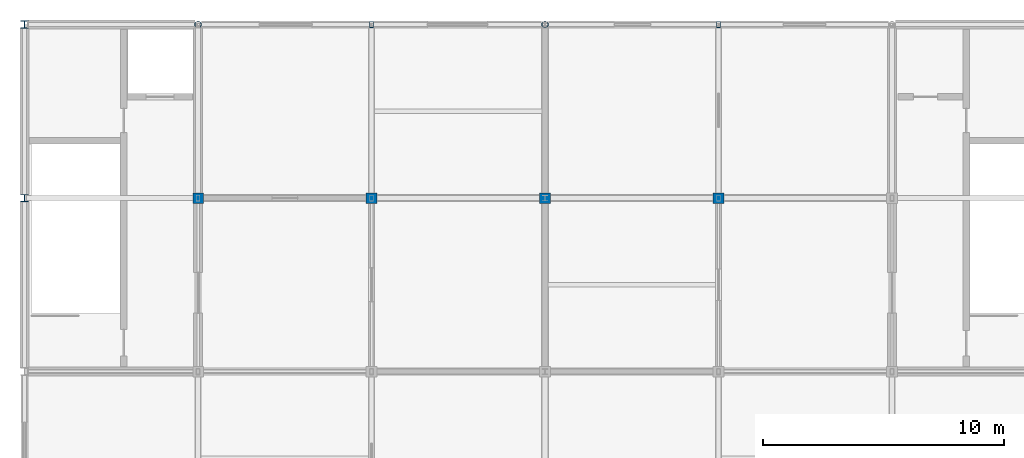
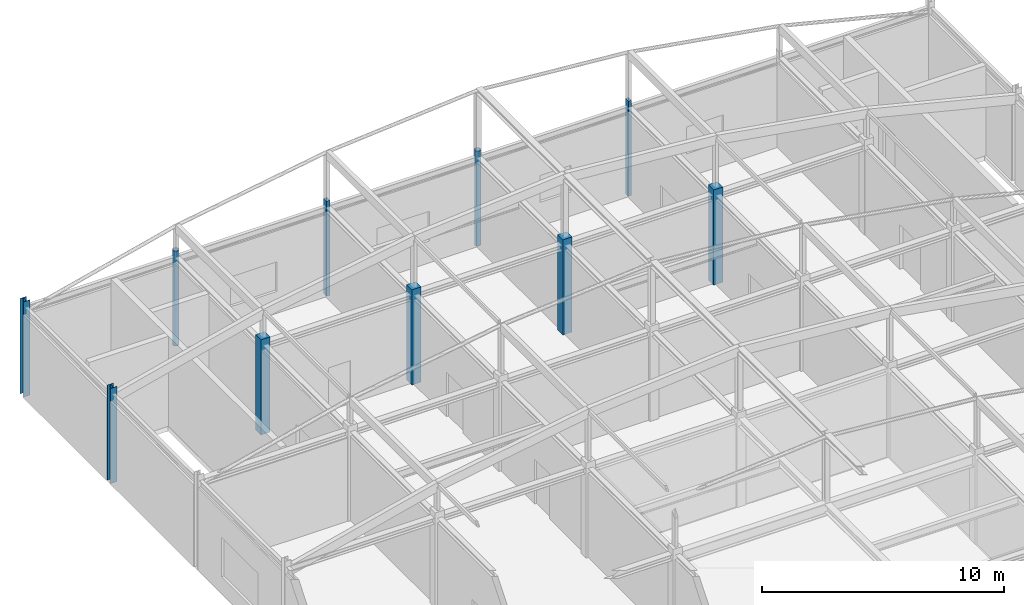
# One storey, part 5 of 23: 10 columns.
"""IFC4 building model written with IfcOpenShell, lengths in metres."""

from ifc_helpers import new_model, si_unit, direction, frame, origin, origin_2d, place, context, subcontext, project, spatial, rectangle, hollow_rectangle, hollow_circle, i_section, extrude, material, material_profile, profile_set, type_object, element, save


model = new_model("IFC4")

# Units and contexts
model_context = context("Model", 3, precision=1e-05, world=origin(), true_north=direction((0.0, 1.0)))
body_context = subcontext(model_context, "Body", "Model", "MODEL_VIEW")
ifc_project = project(units=[si_unit("LENGTHUNIT", "METRE"), si_unit("AREAUNIT", "SQUARE_METRE"), si_unit("VOLUMEUNIT", "CUBIC_METRE"), si_unit("PLANEANGLEUNIT", "RADIAN"), si_unit("MASSUNIT", "GRAM", prefix="KILO")], contexts=[model_context])

# Site, building, storey
site_placement = place(None, origin())
site = spatial("IfcSite", under=ifc_project, at=site_placement, CompositionType="ELEMENT")
building_placement = place(site_placement, origin())
building = spatial("IfcBuilding", under=site, at=building_placement, Name="Cendaluz Park School", CompositionType="ELEMENT")
storey_placement = place(building_placement, frame((0.0, 0.0, 67.199951171875)))
storey = spatial("IfcBuildingStorey", under=building, at=storey_placement, Name="L16", CompositionType="ELEMENT", Elevation=67.199951171875)

# Columns
ifc_material_1 = material(Name="Glulam GL32h", Category="wood")
ifc_material_profile_1 = material_profile(ifc_material_1, rectangle(XDim=0.43994140625, YDim=0.43994140625, at=origin_2d()), Name="GL32h 440x440", Category="wood")
ifc_profile_set_1 = profile_set([ifc_material_profile_1], Name="Glulam GL32h")
column_type_1 = type_object("IfcColumnType", Name="C-GL03", PredefinedType="COLUMN", material=ifc_profile_set_1)
for number, where, z_axis, x_axis, name in (
    (1, (72.0, 50.39990234375, 0.0), (0.0, 0.0, 1.0), (1.0, 0.0, 0.0), "C-L16-CGL03-013"),
    (2, (79.199951171875, 50.39990234375, 0.0), (0.0, 0.0, 1.0), (1.0, 0.0, 0.0), "C-L16-CGL03-020"),
    (3, (86.39990234375, 50.39990234375, 0.0), (0.0, 0.0, 1.0), (1.0, 0.0, 0.0), "C-L16-CGL03-026"),
    (4, (93.60009765625, 50.39990234375, 0.0), (0.0, 0.0, 1.0), (1.0, 0.0, 0.0), "C-L16-CGL03-033"),
):
    element("IfcColumn", number, at=place(storey_placement, frame(where, z_axis=z_axis, x_axis=x_axis)), inside=storey, type_object=column_type_1, Name=name, PredefinedType="COLUMN", context=body_context, shape_type="SweptSolid", body=[
        extrude(rectangle(XDim=0.43994140625, YDim=0.43994140625, at=origin_2d()), origin(), (0.0, 0.0, 1.0), 4.800048828125),
    ])
ifc_material_2 = material(Name="Steel S355", Category="steel")
ifc_material_profile_2 = material_profile(ifc_material_2, i_section(OverallWidth=0.300048828125, OverallDepth=0.300048828125, WebThickness=0.010986328125, FlangeThickness=0.01904296875, FilletRadius=0.027099609375, at=origin_2d()), Name="HEB 300", Category="steel")
ifc_profile_set_2 = profile_set([ifc_material_profile_2], Name="Steel S355")
column_type_2 = type_object("IfcColumnType", Name="C-ST01", PredefinedType="COLUMN", material=ifc_profile_set_2)
column_1_placement = place(storey_placement, frame((64.800048828125, 57.60009765625, 0.0), z_axis=(0.0, 0.0, 1.0), x_axis=(1.0, 0.0, 0.0)))
element("IfcColumn", 5, at=column_1_placement, inside=storey, type_object=column_type_2, Name="C-L16-CST01-007", PredefinedType="COLUMN", context=body_context, shape_type="SweptSolid", body=[
    extrude(i_section(OverallWidth=0.300048828125, OverallDepth=0.300048828125, WebThickness=0.010986328125, FlangeThickness=0.01904296875, FilletRadius=0.027099609375, at=origin_2d()), origin(), (0.0, 0.0, 1.0), 4.800048828125),
])
ifc_material_profile_3 = material_profile(ifc_material_2, i_section(OverallWidth=0.300048828125, OverallDepth=0.2900390625, WebThickness=0.009033203125, FlangeThickness=0.013916015625, FilletRadius=0.027099609375, at=origin_2d()), Name="HEA 300", Category="steel")
ifc_profile_set_3 = profile_set([ifc_material_profile_3], Name="Steel S355")
column_type_3 = type_object("IfcColumnType", Name="C-ST02", PredefinedType="COLUMN", material=ifc_profile_set_3)
column_2_placement = place(storey_placement, frame((64.800048828125, 50.39990234375, 0.0), z_axis=(0.0, 0.0, 1.0), x_axis=(1.0, 0.0, 0.0)))
element("IfcColumn", 6, at=column_2_placement, inside=storey, type_object=column_type_3, Name="C-L16-CST02-006", PredefinedType="COLUMN", context=body_context, shape_type="SweptSolid", body=[
    extrude(i_section(OverallWidth=0.300048828125, OverallDepth=0.2900390625, WebThickness=0.009033203125, FlangeThickness=0.013916015625, FilletRadius=0.027099609375, at=origin_2d()), origin(), (0.0, 0.0, 1.0), 4.800048828125),
])
ifc_material_profile_4 = material_profile(ifc_material_2, hollow_circle(Radius=0.136474609375, WallThickness=0.011962890625, at=origin_2d()), Name="CHS 273x12", Category="steel")
ifc_profile_set_4 = profile_set([ifc_material_profile_4], Name="Steel S355")
column_type_4 = type_object("IfcColumnType", Name="C-ST03", PredefinedType="COLUMN", material=ifc_profile_set_4)
for number, where, z_axis, x_axis, name in (
    (7, (72.0, 57.60009765625, 0.0), (0.0, 0.0, 1.0), (1.0, 0.0, 0.0), "C-L16-CST03-014"),
    (8, (86.39990234375, 57.60009765625, 0.0), (0.0, 0.0, 1.0), (1.0, 0.0, 0.0), "C-L16-CST03-027"),
):
    element("IfcColumn", number, at=place(storey_placement, frame(where, z_axis=z_axis, x_axis=x_axis)), inside=storey, type_object=column_type_4, Name=name, PredefinedType="COLUMN", context=body_context, shape_type="SweptSolid", body=[
        extrude(hollow_circle(Radius=0.136474609375, WallThickness=0.011962890625, at=origin_2d()), origin(), (0.0, 0.0, 1.0), 4.800048828125),
    ])
ifc_material_profile_5 = material_profile(ifc_material_2, hollow_rectangle(XDim=0.14990234375, YDim=0.25, WallThickness=0.010009765625, at=origin_2d()), Name="RHS 250x150x10", Category="steel")
ifc_profile_set_5 = profile_set([ifc_material_profile_5], Name="Steel S355")
column_type_5 = type_object("IfcColumnType", Name="C-ST04", PredefinedType="COLUMN", material=ifc_profile_set_5)
for number, where, z_axis, x_axis, name in (
    (9, (79.199951171875, 57.60009765625, 0.0), (0.0, 0.0, 1.0), (1.0, 0.0, 0.0), "C-L16-CST04-021"),
    (10, (93.60009765625, 57.60009765625, 0.0), (0.0, 0.0, 1.0), (1.0, 0.0, 0.0), "C-L16-CST04-034"),
):
    element("IfcColumn", number, at=place(storey_placement, frame(where, z_axis=z_axis, x_axis=x_axis)), inside=storey, type_object=column_type_5, Name=name, PredefinedType="COLUMN", context=body_context, shape_type="SweptSolid", body=[
        extrude(hollow_rectangle(XDim=0.14990234375, YDim=0.25, WallThickness=0.010009765625, at=origin_2d()), origin(), (0.0, 0.0, 1.0), 4.800048828125),
    ])

save(model, "model.ifc")
